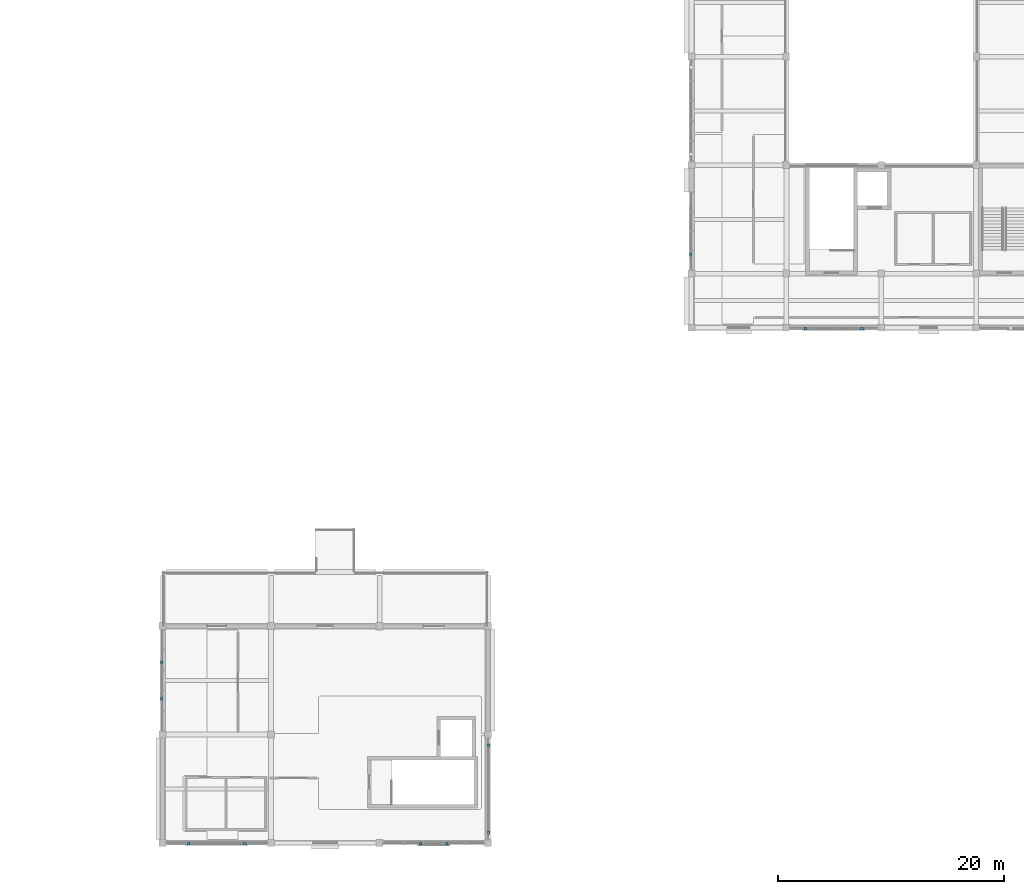
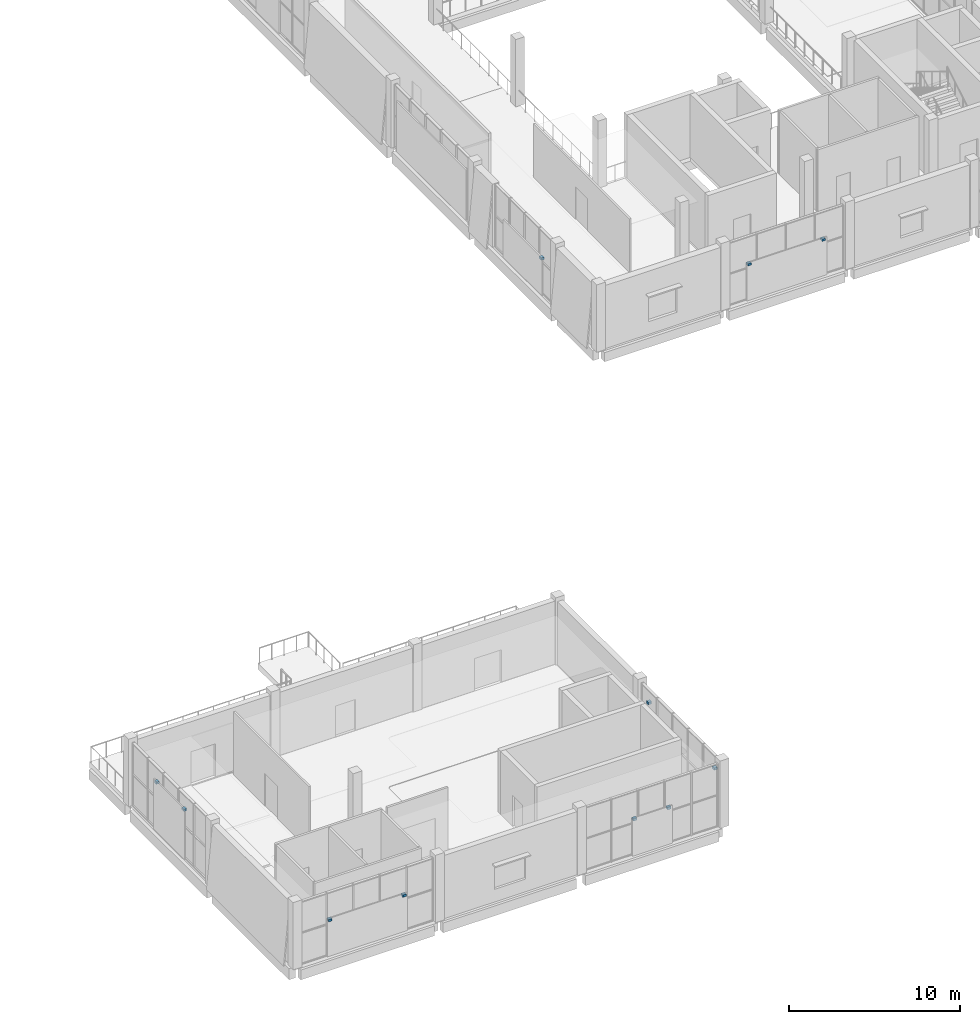
# One storey, part 30 of 37: 11 discrete accessories.
"""IFC4 building model written with IfcOpenShell, lengths in metres."""

import ifcopenshell
import ifcopenshell.guid

model = None  # the IFC model being written
_history = None  # IfcOwnerHistory: only IFC2X3 demands one
_inside = {}  # id of a spatial element -> (the spatial element, [elements in it])
_under = {}  # id of a project, library or spatial element -> (it, [spatial elements below it])
_declared = {}  # id of a project -> (the project, [libraries it declares])
_typed = {}  # id of a type object -> (the type object, [elements of that type])
_made_of = {}  # id of a material, layer set ... -> (it, [elements and type objects made of it])


def new_model(schema):
    """Start an empty IFC model of exactly this schema.

    Asked for "IFC4X3", IfcOpenShell would pick the latest addendum, in which some entities
    have other attributes; the version numbers below select the first issue.
    IFC2X3 requires an IfcOwnerHistory on every rooted entity: one is made here for all.
    """
    global model, _history
    if schema == "IFC4X3":
        model = ifcopenshell.file(schema_version=(4, 3, 0, 0))
    else:
        model = ifcopenshell.file(schema=schema)
    _inside.clear()
    _under.clear()
    _declared.clear()
    _typed.clear()
    _made_of.clear()
    _history = None
    if model.schema == "IFC2X3":
        org = make("IfcOrganization", Name="unknown")
        user = make(
            "IfcPersonAndOrganization",
            ThePerson=make("IfcPerson", FamilyName="unknown"),
            TheOrganization=org,
        )
        app = make(
            "IfcApplication",
            ApplicationDeveloper=org,
            Version="unknown",
            ApplicationFullName="unknown",
            ApplicationIdentifier="unknown",
        )
        _history = make(
            "IfcOwnerHistory",
            OwningUser=user,
            OwningApplication=app,
            ChangeAction="ADDED",
            CreationDate=0,
        )
    return model


def make(cls, **values):
    """One entity of the class cls with the attributes given. An attribute that is None is left unset."""
    return model.create_entity(
        cls, **{name: value for name, value in values.items() if value is not None}
    )


def rooted(cls, **values):
    """An entity with a GlobalId (a new one), such as an element, a storey or a relation."""
    return make(cls, GlobalId=ifcopenshell.guid.new(), OwnerHistory=_history, **values)


def si_unit(unit_type, name, prefix=None):
    """IfcSIUnit, for example si_unit("LENGTHUNIT", "METRE", prefix="MILLI")."""
    return make("IfcSIUnit", UnitType=unit_type, Prefix=prefix, Name=name)


def assignment(units):
    """IfcUnitAssignment: the units of a project."""
    return None if units is None else make("IfcUnitAssignment", Units=units)


def point(xyz):
    """IfcCartesianPoint."""
    return None if xyz is None else make("IfcCartesianPoint", Coordinates=xyz)


def direction(xyz):
    """IfcDirection."""
    return None if xyz is None else make("IfcDirection", DirectionRatios=xyz)


def frame(location, z_axis=None, x_axis=None):
    """IfcAxis2Placement3D, a coordinate frame: its origin and axes. An axis left out is left unset."""
    return make(
        "IfcAxis2Placement3D",
        Location=point(location),
        Axis=direction(z_axis),
        RefDirection=direction(x_axis),
    )


def frame_2d(location, x_axis=None):
    """IfcAxis2Placement2D, a coordinate frame in the plane: its origin and x axis."""
    return make(
        "IfcAxis2Placement2D", Location=point(location), RefDirection=direction(x_axis)
    )


def origin():
    """The frame at (0, 0, 0) with its axes left unset."""
    return frame((0.0, 0.0, 0.0))


def origin_2d():
    """The frame at (0, 0) in the plane with its x axis left unset."""
    return frame_2d((0.0, 0.0))


def place(relative_to, where):
    """IfcLocalPlacement: puts the frame where relative to a parent placement (None: the world)."""
    return make(
        "IfcLocalPlacement", PlacementRelTo=relative_to, RelativePlacement=where
    )


def context(
    kind, dimensions, precision=None, world=None, true_north=None, identifier=None
):
    """IfcGeometricRepresentationContext, for example the 3D "Model" context."""
    return make(
        "IfcGeometricRepresentationContext",
        ContextIdentifier=identifier,
        ContextType=kind,
        CoordinateSpaceDimension=dimensions,
        Precision=precision,
        WorldCoordinateSystem=world,
        TrueNorth=true_north,
    )


def subcontext(parent, identifier, kind, view, scale=None):
    """IfcGeometricRepresentationSubContext, for example "Body" below "Model"."""
    return make(
        "IfcGeometricRepresentationSubContext",
        ContextIdentifier=identifier,
        ContextType=kind,
        ParentContext=parent,
        TargetScale=scale,
        TargetView=view,
    )


def project(units=None, contexts=None):
    """IfcProject with its units and contexts."""
    return rooted(
        "IfcProject",
        Name="project",
        RepresentationContexts=contexts,
        UnitsInContext=assignment(units),
    )


def spatial(cls, under=None, at=None, **own):
    """A site, building, storey or space (cls), placed at a placement, below another one or the project."""
    s = rooted(cls, ObjectPlacement=at, **own)
    if under is not None:
        _under.setdefault(under.id(), (under, []))[1].append(s)
    return s


def profile(cls, at=None, kind="AREA", **sizes):
    """A parametric profile (cls). Its sizes go by their IFC names, for example OverallWidth=200.0."""
    return make(cls, ProfileType=kind, Position=at, **sizes)


def rectangle(**sizes):
    """IfcRectangleProfileDef."""
    return profile("IfcRectangleProfileDef", **sizes)


def extrude(swept, where, along, depth):
    """IfcExtrudedAreaSolid: the profile swept, set in the frame where, extruded along a direction by depth."""
    return make(
        "IfcExtrudedAreaSolid",
        SweptArea=swept,
        Position=where,
        ExtrudedDirection=direction(along),
        Depth=depth,
    )


def shape(context_of_items, identifier, shape_type, items):
    """IfcShapeRepresentation: the items that make up one representation, for example the "Body"."""
    return make(
        "IfcShapeRepresentation",
        ContextOfItems=context_of_items,
        RepresentationIdentifier=identifier,
        RepresentationType=shape_type,
        Items=items,
    )


def material(Name=None, Category=None):
    """IfcMaterial."""
    return make("IfcMaterial", Name=Name, Category=Category)


def made_of(thing, what):
    """Note that an element or type object is made of a material, layer set ...; save() writes the relation."""
    if what is not None:
        _made_of.setdefault(what.id(), (what, []))[1].append(thing)
    return thing


def type_object(cls, material=None, **own):
    """A type object (cls), such as IfcWallType, which elements share."""
    return made_of(rooted(cls, **own), material)


def element(
    cls,
    number,
    at=None,
    inside=None,
    cuts=None,
    type_object=None,
    material=None,
    context=None,
    identifier="Body",
    shape_type=None,
    held_by="IfcProductDefinitionShape",
    body=None,
    shapes=None,
    **own,
):
    """One element of the class cls, such as IfcWall. Its Tag is "e" and its number.

    at: its placement. inside: the storey or other place that contains it. cuts: it is an
    opening in that element (IfcRelVoidsElement). A single representation is given by context,
    identifier, shape_type and body (its items); several are given by shapes. held_by: the class
    of the entity that holds the representations. save() writes the other relations.
    """
    e = rooted(cls, Tag="e%d" % number, ObjectPlacement=at, **own)
    if body is not None:
        shapes = [shape(context, identifier, shape_type, body)]
    if shapes is not None:
        e.Representation = make(held_by, Representations=shapes)
    if inside is not None:
        _inside.setdefault(inside.id(), (inside, []))[1].append(e)
    if cuts is not None:
        rooted(
            "IfcRelVoidsElement", RelatingBuildingElement=cuts, RelatedOpeningElement=e
        )
    if type_object is not None:
        _typed.setdefault(type_object.id(), (type_object, []))[1].append(e)
    return made_of(e, material)


def aggregate(whole, parts):
    """IfcRelAggregates: a whole, such as a stair, and the parts it consists of."""
    return rooted("IfcRelAggregates", RelatingObject=whole, RelatedObjects=parts)


def save(model, path):
    """Write the relations noted so far, then the file.

    IfcRelAggregates (storeys below a building ...), IfcRelContainedInSpatialStructure (elements
    in a storey), IfcRelDefinesByType, IfcRelAssociatesMaterial and IfcRelDeclares: one each for
    every whole, place, type object, material and project.
    """
    for whole, parts in _under.values():
        aggregate(whole, parts)
    for where, things in _inside.values():
        rooted(
            "IfcRelContainedInSpatialStructure",
            RelatedElements=things,
            RelatingStructure=where,
        )
    for kind, things in _typed.values():
        rooted("IfcRelDefinesByType", RelatedObjects=things, RelatingType=kind)
    for what, things in _made_of.values():
        rooted("IfcRelAssociatesMaterial", RelatedObjects=things, RelatingMaterial=what)
    for by, libraries in _declared.values():
        rooted("IfcRelDeclares", RelatingContext=by, RelatedDefinitions=libraries)
    model.write(path)


model = new_model("IFC4")

# Units and contexts
model_context = context("Model", 3, precision=1e-05, world=origin(), true_north=direction((0.0, 1.0)))
body_context = subcontext(model_context, "Body", "Model", "MODEL_VIEW")
ifc_project = project(units=[si_unit("LENGTHUNIT", "METRE"), si_unit("AREAUNIT", "SQUARE_METRE"), si_unit("VOLUMEUNIT", "CUBIC_METRE"), si_unit("PLANEANGLEUNIT", "RADIAN"), si_unit("MASSUNIT", "GRAM", prefix="KILO")], contexts=[model_context])

# Site, building, storey
site_placement = place(None, origin())
site = spatial("IfcSite", under=ifc_project, at=site_placement, CompositionType="ELEMENT")
building_placement = place(site_placement, origin())
building = spatial("IfcBuilding", under=site, at=building_placement, Name="Shalvenor Court Art Gallery", CompositionType="ELEMENT")
storey_placement = place(building_placement, frame((0.0, 0.0, 22.199951171875)))
storey = spatial("IfcBuildingStorey", under=building, at=storey_placement, Name="L04", CompositionType="ELEMENT", Elevation=22.199951171875)

# Discrete accessories
ifc_material = material(Name="Stainless steel anchor bracket", Category="steel")
discrete_accessory_type = type_object("IfcDiscreteAccessoryType", Name="BRK-01", PredefinedType="BRACKET", material=ifc_material)
for number, where, z_axis, x_axis, name in (
    (1, (157.89990234375, 45.534912109375, 2.47021484375), (0.0, 0.0, 1.0), (-1.0, 0.0, 0.0), "L04 Lattice Anchor Bracket 71"),
    (2, (152.89990234375, 45.534912109375, 2.47021484375), (0.0, 0.0, 1.0), (-1.0, 0.0, 0.0), "L04 Lattice Anchor Bracket 72"),
    (3, (142.728515625, 52.10009765625, 2.47021484375), (0.0, 0.0, 1.0), (0.0, 1.0, 0.0), "L04 Lattice Anchor Bracket 73"),
    (4, (124.872802734375, 8.64990234375, 3.3701171875), (0.0, 0.0, 1.0), (0.0, -1.0, 0.0), "L04 Lattice Anchor Bracket 195"),
    (5, (124.872802734375, 0.949951171875, 3.3701171875), (0.0, 0.0, 1.0), (0.0, -1.0, 0.0), "L04 Lattice Anchor Bracket 196"),
    (6, (121.14990234375, -0.0751953125, 2.47021484375), (0.0, 0.0, 1.0), (-1.0, 0.0, 0.0), "L04 Lattice Anchor Bracket 197"),
    (7, (118.85009765625, -0.0751953125, 2.47021484375), (0.0, 0.0, 1.0), (-1.0, 0.0, 0.0), "L04 Lattice Anchor Bracket 198"),
    (8, (103.300048828125, -0.055419921875, 2.47021484375), (0.0, 0.0, 1.0), (-1.0, 0.0, 0.0), "L04 Lattice Anchor Bracket 199"),
    (9, (98.300048828125, -0.055419921875, 2.47021484375), (0.0, 0.0, 1.0), (-1.0, 0.0, 0.0), "L04 Lattice Anchor Bracket 200"),
    (10, (95.93359375, 12.800048828125, 3.3701171875), (0.0, 0.0, 1.0), (0.0, 1.0, 0.0), "L04 Lattice Anchor Bracket 201"),
    (11, (95.93359375, 16.0, 3.3701171875), (0.0, 0.0, 1.0), (0.0, 1.0, 0.0), "L04 Lattice Anchor Bracket 202"),
):
    element("IfcDiscreteAccessory", number, at=place(storey_placement, frame(where, z_axis=z_axis, x_axis=x_axis)), inside=storey, type_object=discrete_accessory_type, Name=name, PredefinedType="BRACKET", context=body_context, shape_type="SweptSolid", body=[
        extrude(rectangle(XDim=0.239990234375, YDim=0.219970703125, at=origin_2d()), origin(), (0.0, 0.0, 1.0), 0.159912109375),
    ])

save(model, "model.ifc")
